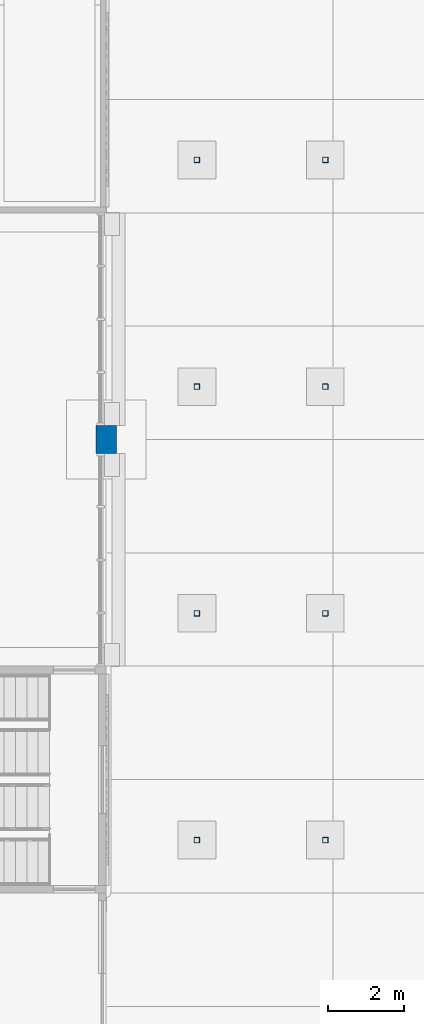
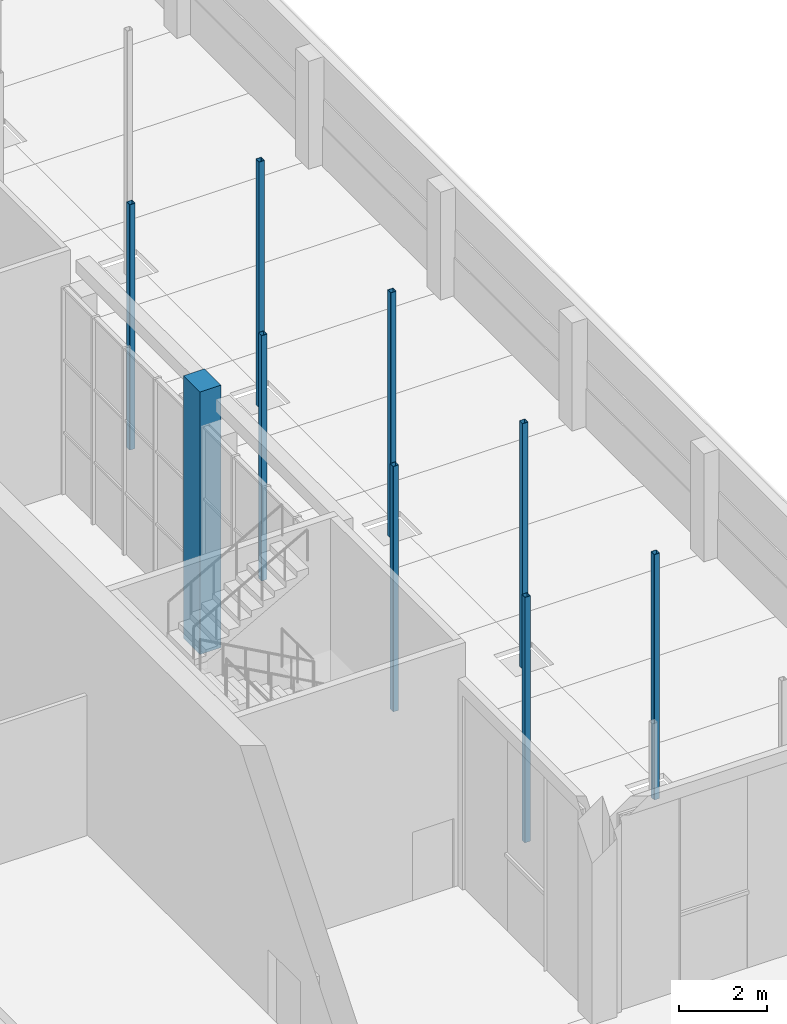
# One storey, part 10 of 95: 9 columns.
"""IFC4 building model written with IfcOpenShell, lengths in metres."""

from ifc_helpers import new_model, si_unit, direction, frame, origin, origin_2d, place, context, subcontext, project, spatial, rectangle, hollow_rectangle, extrude, material, material_profile, profile_set, type_object, element, save


model = new_model("IFC4")

# Units and contexts
model_context = context("Model", 3, precision=1e-05, world=origin(), true_north=direction((0.0, 1.0)))
body_context = subcontext(model_context, "Body", "Model", "MODEL_VIEW")
ifc_project = project(units=[si_unit("LENGTHUNIT", "METRE"), si_unit("AREAUNIT", "SQUARE_METRE"), si_unit("VOLUMEUNIT", "CUBIC_METRE"), si_unit("PLANEANGLEUNIT", "RADIAN"), si_unit("MASSUNIT", "GRAM", prefix="KILO")], contexts=[model_context])

# Site, building, storey
site_placement = place(None, origin())
site = spatial("IfcSite", under=ifc_project, at=site_placement, CompositionType="ELEMENT")
building_placement = place(site_placement, origin())
building = spatial("IfcBuilding", under=site, at=building_placement, Name="Saffron Lane Theatres", CompositionType="ELEMENT")
storey_placement = place(building_placement, origin())
storey = spatial("IfcBuildingStorey", under=building, at=storey_placement, Name="L00", CompositionType="ELEMENT", Elevation=0.0)

# Columns
ifc_material_1 = material(Name="Concrete N50 (50 MPa)", Category="concrete")
ifc_material_profile_1 = material_profile(ifc_material_1, rectangle(XDim=0.550048828125, YDim=0.75, at=origin_2d()))
ifc_profile_set_1 = profile_set([ifc_material_profile_1], Name="Concrete N50 (50 MPa)")
column_type_1 = type_object("IfcColumnType", Name="RC-COL 550x750", PredefinedType="COLUMN", material=ifc_profile_set_1)
column_placement = place(storey_placement, frame((54.0, 48.0, -0.300048828125), z_axis=(0.0, 0.0, 1.0), x_axis=(1.0, 0.0, 0.0)))
element("IfcColumn", 1, at=column_placement, inside=storey, type_object=column_type_1, Name="col-L00-K9", PredefinedType="COLUMN", context=body_context, shape_type="SweptSolid", body=[
    extrude(rectangle(XDim=0.550048828125, YDim=0.75, at=origin_2d()), origin(), (0.0, 0.0, 1.0), 7.300048828125),
])
ifc_material_2 = material(Name="Steel Grade 350", Category="steel")
ifc_material_profile_2 = material_profile(ifc_material_2, hollow_rectangle(XDim=0.14990234375, YDim=0.14990234375, WallThickness=0.009033203125, InnerFilletRadius=0.00439453125, OuterFilletRadius=0.013427734375, at=origin_2d()))
ifc_profile_set_2 = profile_set([ifc_material_profile_2], Name="Steel Grade 350")
column_type_2 = type_object("IfcColumnType", Name="ST-CANOPY COLUMN 150x150x9 SHS", PredefinedType="COLUMN", material=ifc_profile_set_2)
for number, where, z_axis, x_axis, name in (
    (2, (56.39990234375, 37.39990234375, -0.199951171875), (0.0, 0.0, 1.0), (1.0, 0.0, 0.0), "CCW2"),
    (3, (59.800048828125, 37.39990234375, -0.199951171875), (0.0, 0.0, 1.0), (1.0, 0.0, 0.0), "CCE2"),
    (4, (56.39990234375, 43.39990234375, -0.199951171875), (0.0, 0.0, 1.0), (1.0, 0.0, 0.0), "CCW3"),
    (5, (59.800048828125, 43.39990234375, -0.199951171875), (0.0, 0.0, 1.0), (1.0, 0.0, 0.0), "CCE3"),
    (6, (56.39990234375, 49.39990234375, -0.199951171875), (0.0, 0.0, 1.0), (1.0, 0.0, 0.0), "CCW4"),
    (7, (59.800048828125, 49.39990234375, -0.199951171875), (0.0, 0.0, 1.0), (1.0, 0.0, 0.0), "CCE4"),
    (8, (56.39990234375, 55.39990234375, -0.199951171875), (0.0, 0.0, 1.0), (1.0, 0.0, 0.0), "CCW5"),
    (9, (59.800048828125, 55.39990234375, -0.199951171875), (0.0, 0.0, 1.0), (1.0, 0.0, 0.0), "CCE5"),
):
    element("IfcColumn", number, at=place(storey_placement, frame(where, z_axis=z_axis, x_axis=x_axis)), inside=storey, type_object=column_type_2, Name=name, PredefinedType="COLUMN", context=body_context, shape_type="SweptSolid", body=[
        extrude(hollow_rectangle(XDim=0.14990234375, YDim=0.14990234375, WallThickness=0.009033203125, InnerFilletRadius=0.00439453125, OuterFilletRadius=0.013427734375, at=origin_2d()), origin(), (0.0, 0.0, 1.0), 6.822021484375),
    ])

save(model, "model.ifc")
